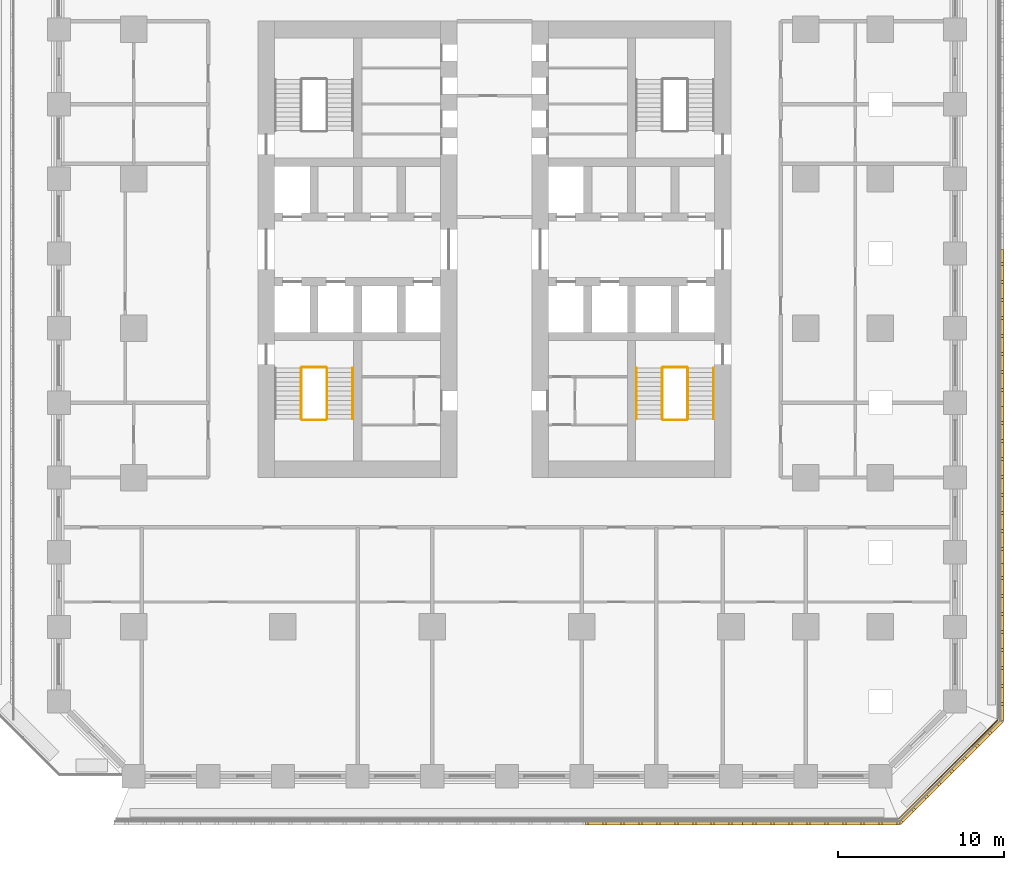
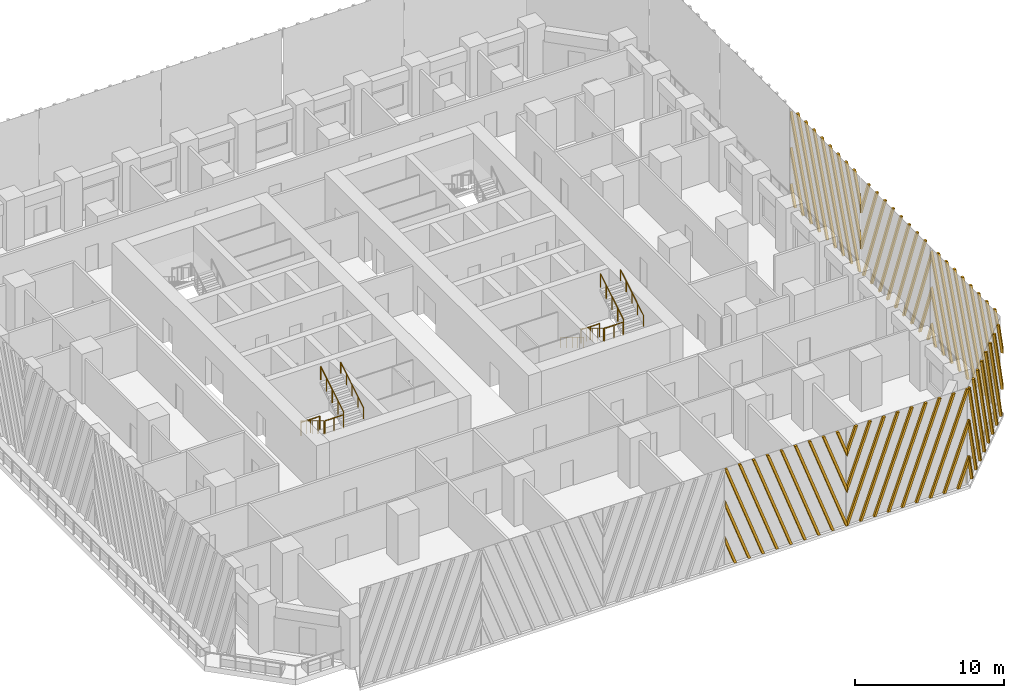
# One storey, part 11 of 15: 12 railings, 6 shading devices.
"""IFC4 building model written with IfcOpenShell, lengths in metres."""

from ifc_helpers import new_model, si_unit, direction, frame, origin, origin_2d, place, context, subcontext, project, spatial, polyline, circle, outline, extrude, source, transform, mapped, material, type_object, element, save


model = new_model("IFC4")

# Units and contexts
model_context = context("Model", 3, precision=1e-05, world=origin(), true_north=direction((0.0, 1.0)))
body_context = subcontext(model_context, "Body", "Model", "MODEL_VIEW")
ifc_project = project(units=[si_unit("LENGTHUNIT", "METRE"), si_unit("AREAUNIT", "SQUARE_METRE"), si_unit("VOLUMEUNIT", "CUBIC_METRE"), si_unit("PLANEANGLEUNIT", "RADIAN"), si_unit("MASSUNIT", "GRAM", prefix="KILO")], contexts=[model_context])

# Site, building, storey
site_placement = place(None, origin())
site = spatial("IfcSite", under=ifc_project, at=site_placement, CompositionType="ELEMENT")
building_placement = place(site_placement, origin())
building = spatial("IfcBuilding", under=site, at=building_placement, Name="Corbel Stack Research Tower", CompositionType="ELEMENT")
storey_placement = place(building_placement, frame((0.0, 0.0, 41.89990234375)))
storey = spatial("IfcBuildingStorey", under=building, at=storey_placement, Name="L09", CompositionType="ELEMENT", Elevation=41.89990234375)

# Railings
ifc_material_1 = material(Name="Steel S355", Category="steel")
railing_type_1 = type_object("IfcRailingType", Name="Stair guard 1100", PredefinedType="GUARDRAIL", material=ifc_material_1)
railing_1_placement = place(storey_placement, frame((-7.89990234375, -2.39990234375, 0.1708984375)))
element("IfcRailing", 1, at=railing_1_placement, inside=storey, type_object=railing_type_1, Name="L09 ST-W1 stair guard 1", PredefinedType="GUARDRAIL", context=body_context, shape_type="SweptSolid", body=[
    extrude(circle(Radius=0.02392578125, at=origin_2d()), frame((0.0, 0.0, 1.076171875), z_axis=(0.0, -0.853666305674, 0.52082035152), x_axis=(1.0, 0.0, 0.0)), (0.0, 0.0, 1.0), 3.608154296875),
    extrude(circle(Radius=0.02099609375, at=origin_2d()), origin(), (0.0, 0.0, 1.0), 1.052001953125),
    extrude(circle(Radius=0.02099609375, at=origin_2d()), frame((0.0, -0.77001953125, 0.4697265625)), (0.0, 0.0, 1.0), 1.052001953125),
    extrude(circle(Radius=0.02099609375, at=origin_2d()), frame((0.0, -1.5400390625, 0.939453125)), (0.0, 0.0, 1.0), 1.052001953125),
    extrude(circle(Radius=0.02099609375, at=origin_2d()), frame((0.0, -2.31005859375, 1.409423828125)), (0.0, 0.0, 1.0), 1.052001953125),
    extrude(circle(Radius=0.02099609375, at=origin_2d()), frame((0.0, -3.080078125, 1.879150390625)), (0.0, 0.0, 1.0), 1.052001953125),
])
railing_2_placement = place(storey_placement, frame((-7.85009765625, -5.530029296875, 2.050048828125)))
element("IfcRailing", 2, at=railing_2_placement, inside=storey, type_object=railing_type_1, Name="L09 ST-W1 stair guard 2", PredefinedType="GUARDRAIL", context=body_context, shape_type="SweptSolid", body=[
    extrude(circle(Radius=0.02392578125, at=origin_2d()), frame((0.0, 0.0, 1.076171875), z_axis=(1.0, 0.0, 0.0), x_axis=(0.0, 1.0, 0.0)), (0.0, 0.0, 1.0), 1.4501953125),
    extrude(circle(Radius=0.02099609375, at=origin_2d()), origin(), (0.0, 0.0, 1.0), 1.052001953125),
    extrude(circle(Radius=0.02099609375, at=origin_2d()), frame((0.72509765625, 0.0, 0.0)), (0.0, 0.0, 1.0), 1.052001953125),
    extrude(circle(Radius=0.02099609375, at=origin_2d()), frame((1.4501953125, 0.0, 0.0)), (0.0, 0.0, 1.0), 1.052001953125),
])
railing_3_placement = place(storey_placement, frame((-6.35009765625, -5.47998046875, 2.220947265625)))
element("IfcRailing", 3, at=railing_3_placement, inside=storey, type_object=railing_type_1, Name="L09 ST-W1 stair guard 3", PredefinedType="GUARDRAIL", context=body_context, shape_type="SweptSolid", body=[
    extrude(circle(Radius=0.02392578125, at=origin_2d()), frame((0.0, 0.0, 1.076171875), z_axis=(0.0, 0.853666305674, 0.52082035152), x_axis=(-1.0, 0.0, 0.0)), (0.0, 0.0, 1.0), 3.608154296875),
    extrude(circle(Radius=0.02099609375, at=origin_2d()), origin(), (0.0, 0.0, 1.0), 1.052001953125),
    extrude(circle(Radius=0.02099609375, at=origin_2d()), frame((0.0, 0.77001953125, 0.4697265625)), (0.0, 0.0, 1.0), 1.052001953125),
    extrude(circle(Radius=0.02099609375, at=origin_2d()), frame((0.0, 1.5400390625, 0.939453125)), (0.0, 0.0, 1.0), 1.052001953125),
    extrude(circle(Radius=0.02099609375, at=origin_2d()), frame((0.0, 2.31005859375, 1.409423828125)), (0.0, 0.0, 1.0), 1.052001953125),
    extrude(circle(Radius=0.02099609375, at=origin_2d()), frame((0.0, 3.080078125, 1.879150390625)), (0.0, 0.0, 1.0), 1.052001953125),
])
railing_4_placement = place(storey_placement, frame((-7.85009765625, -2.35009765625, 0.0)))
element("IfcRailing", 4, at=railing_4_placement, inside=storey, type_object=railing_type_1, Name="L09 ST-W1 stair guard 4", PredefinedType="GUARDRAIL", context=body_context, shape_type="SweptSolid", body=[
    extrude(circle(Radius=0.02392578125, at=origin_2d()), frame((0.0, 0.0, 1.076171875), z_axis=(1.0, 0.0, 0.0), x_axis=(0.0, 1.0, 0.0)), (0.0, 0.0, 1.0), 1.4501953125),
    extrude(circle(Radius=0.02099609375, at=origin_2d()), origin(), (0.0, 0.0, 1.0), 1.052001953125),
    extrude(circle(Radius=0.02099609375, at=origin_2d()), frame((0.72509765625, 0.0, 0.0)), (0.0, 0.0, 1.0), 1.052001953125),
    extrude(circle(Radius=0.02099609375, at=origin_2d()), frame((1.4501953125, 0.0, 0.0)), (0.0, 0.0, 1.0), 1.052001953125),
])
railing_5_placement = place(storey_placement, frame((13.85009765625, -2.39990234375, 0.1708984375)))
element("IfcRailing", 5, at=railing_5_placement, inside=storey, type_object=railing_type_1, Name="L09 ST-E1 stair guard 1", PredefinedType="GUARDRAIL", context=body_context, shape_type="SweptSolid", body=[
    extrude(circle(Radius=0.02392578125, at=origin_2d()), frame((0.0, 0.0, 1.076171875), z_axis=(0.0, -0.853666305674, 0.52082035152), x_axis=(1.0, 0.0, 0.0)), (0.0, 0.0, 1.0), 3.608154296875),
    extrude(circle(Radius=0.02099609375, at=origin_2d()), origin(), (0.0, 0.0, 1.0), 1.052001953125),
    extrude(circle(Radius=0.02099609375, at=origin_2d()), frame((0.0, -0.77001953125, 0.4697265625)), (0.0, 0.0, 1.0), 1.052001953125),
    extrude(circle(Radius=0.02099609375, at=origin_2d()), frame((0.0, -1.5400390625, 0.939453125)), (0.0, 0.0, 1.0), 1.052001953125),
    extrude(circle(Radius=0.02099609375, at=origin_2d()), frame((0.0, -2.31005859375, 1.409423828125)), (0.0, 0.0, 1.0), 1.052001953125),
    extrude(circle(Radius=0.02099609375, at=origin_2d()), frame((0.0, -3.080078125, 1.879150390625)), (0.0, 0.0, 1.0), 1.052001953125),
])
railing_6_placement = place(storey_placement, frame((13.89990234375, -5.530029296875, 2.050048828125)))
element("IfcRailing", 6, at=railing_6_placement, inside=storey, type_object=railing_type_1, Name="L09 ST-E1 stair guard 2", PredefinedType="GUARDRAIL", context=body_context, shape_type="SweptSolid", body=[
    extrude(circle(Radius=0.02392578125, at=origin_2d()), frame((0.0, 0.0, 1.076171875), z_axis=(1.0, 0.0, 0.0), x_axis=(0.0, 1.0, 0.0)), (0.0, 0.0, 1.0), 1.4501953125),
    extrude(circle(Radius=0.02099609375, at=origin_2d()), origin(), (0.0, 0.0, 1.0), 1.052001953125),
    extrude(circle(Radius=0.02099609375, at=origin_2d()), frame((0.72509765625, 0.0, 0.0)), (0.0, 0.0, 1.0), 1.052001953125),
    extrude(circle(Radius=0.02099609375, at=origin_2d()), frame((1.4501953125, 0.0, 0.0)), (0.0, 0.0, 1.0), 1.052001953125),
])
railing_7_placement = place(storey_placement, frame((15.39990234375, -5.47998046875, 2.220947265625)))
element("IfcRailing", 7, at=railing_7_placement, inside=storey, type_object=railing_type_1, Name="L09 ST-E1 stair guard 3", PredefinedType="GUARDRAIL", context=body_context, shape_type="SweptSolid", body=[
    extrude(circle(Radius=0.02392578125, at=origin_2d()), frame((0.0, 0.0, 1.076171875), z_axis=(0.0, 0.853666305674, 0.52082035152), x_axis=(-1.0, 0.0, 0.0)), (0.0, 0.0, 1.0), 3.608154296875),
    extrude(circle(Radius=0.02099609375, at=origin_2d()), origin(), (0.0, 0.0, 1.0), 1.052001953125),
    extrude(circle(Radius=0.02099609375, at=origin_2d()), frame((0.0, 0.77001953125, 0.4697265625)), (0.0, 0.0, 1.0), 1.052001953125),
    extrude(circle(Radius=0.02099609375, at=origin_2d()), frame((0.0, 1.5400390625, 0.939453125)), (0.0, 0.0, 1.0), 1.052001953125),
    extrude(circle(Radius=0.02099609375, at=origin_2d()), frame((0.0, 2.31005859375, 1.409423828125)), (0.0, 0.0, 1.0), 1.052001953125),
    extrude(circle(Radius=0.02099609375, at=origin_2d()), frame((0.0, 3.080078125, 1.879150390625)), (0.0, 0.0, 1.0), 1.052001953125),
])
railing_8_placement = place(storey_placement, frame((13.89990234375, -2.35009765625, 0.0)))
element("IfcRailing", 8, at=railing_8_placement, inside=storey, type_object=railing_type_1, Name="L09 ST-E1 stair guard 4", PredefinedType="GUARDRAIL", context=body_context, shape_type="SweptSolid", body=[
    extrude(circle(Radius=0.02392578125, at=origin_2d()), frame((0.0, 0.0, 1.076171875), z_axis=(1.0, 0.0, 0.0), x_axis=(0.0, 1.0, 0.0)), (0.0, 0.0, 1.0), 1.4501953125),
    extrude(circle(Radius=0.02099609375, at=origin_2d()), origin(), (0.0, 0.0, 1.0), 1.052001953125),
    extrude(circle(Radius=0.02099609375, at=origin_2d()), frame((0.72509765625, 0.0, 0.0)), (0.0, 0.0, 1.0), 1.052001953125),
    extrude(circle(Radius=0.02099609375, at=origin_2d()), frame((1.4501953125, 0.0, 0.0)), (0.0, 0.0, 1.0), 1.052001953125),
])
ifc_material_2 = material(Name="Steel S355", Category="steel")
railing_type_2 = type_object("IfcRailingType", Name="Stair handrail 900", PredefinedType="HANDRAIL", material=ifc_material_2)
railing_9_placement = place(storey_placement, frame((-4.800048828125, -5.47998046875, 2.220947265625)))
element("IfcRailing", 9, at=railing_9_placement, inside=storey, type_object=railing_type_2, Name="L09 ST-W1 stair handrail 2", PredefinedType="HANDRAIL", context=body_context, shape_type="SweptSolid", body=[
    extrude(circle(Radius=0.02392578125, at=origin_2d()), frame((0.0, 0.0, 0.8759765625), z_axis=(0.0, 0.853666305674, 0.52082035152), x_axis=(-1.0, 0.0, 0.0)), (0.0, 0.0, 1.0), 3.608154296875),
    extrude(circle(Radius=0.02099609375, at=origin_2d()), origin(), (0.0, 0.0, 1.0), 0.851806640625),
    extrude(circle(Radius=0.02099609375, at=origin_2d()), frame((0.0, 0.77001953125, 0.4697265625)), (0.0, 0.0, 1.0), 0.851806640625),
    extrude(circle(Radius=0.02099609375, at=origin_2d()), frame((0.0, 1.5400390625, 0.939453125)), (0.0, 0.0, 1.0), 0.851806640625),
    extrude(circle(Radius=0.02099609375, at=origin_2d()), frame((0.0, 2.31005859375, 1.409423828125)), (0.0, 0.0, 1.0), 0.851806640625),
    extrude(circle(Radius=0.02099609375, at=origin_2d()), frame((0.0, 3.080078125, 1.879150390625)), (0.0, 0.0, 1.0), 0.851806640625),
])
railing_10_placement = place(storey_placement, frame((12.300048828125, -2.39990234375, 0.1708984375)))
element("IfcRailing", 10, at=railing_10_placement, inside=storey, type_object=railing_type_2, Name="L09 ST-E1 stair handrail 1", PredefinedType="HANDRAIL", context=body_context, shape_type="SweptSolid", body=[
    extrude(circle(Radius=0.02392578125, at=origin_2d()), frame((0.0, 0.0, 0.8759765625), z_axis=(0.0, -0.853666305674, 0.52082035152), x_axis=(1.0, 0.0, 0.0)), (0.0, 0.0, 1.0), 3.608154296875),
    extrude(circle(Radius=0.02099609375, at=origin_2d()), origin(), (0.0, 0.0, 1.0), 0.851806640625),
    extrude(circle(Radius=0.02099609375, at=origin_2d()), frame((0.0, -0.77001953125, 0.4697265625)), (0.0, 0.0, 1.0), 0.851806640625),
    extrude(circle(Radius=0.02099609375, at=origin_2d()), frame((0.0, -1.5400390625, 0.939453125)), (0.0, 0.0, 1.0), 0.851806640625),
    extrude(circle(Radius=0.02099609375, at=origin_2d()), frame((0.0, -2.31005859375, 1.409423828125)), (0.0, 0.0, 1.0), 0.851806640625),
    extrude(circle(Radius=0.02099609375, at=origin_2d()), frame((0.0, -3.080078125, 1.879150390625)), (0.0, 0.0, 1.0), 0.851806640625),
])
railing_11_placement = place(storey_placement, frame((16.949951171875, -5.47998046875, 2.220947265625)))
element("IfcRailing", 11, at=railing_11_placement, inside=storey, type_object=railing_type_2, Name="L09 ST-E1 stair handrail 2", PredefinedType="HANDRAIL", context=body_context, shape_type="SweptSolid", body=[
    extrude(circle(Radius=0.02392578125, at=origin_2d()), frame((0.0, 0.0, 0.8759765625), z_axis=(0.0, 0.853666305674, 0.52082035152), x_axis=(-1.0, 0.0, 0.0)), (0.0, 0.0, 1.0), 3.608154296875),
    extrude(circle(Radius=0.02099609375, at=origin_2d()), origin(), (0.0, 0.0, 1.0), 0.851806640625),
    extrude(circle(Radius=0.02099609375, at=origin_2d()), frame((0.0, 0.77001953125, 0.4697265625)), (0.0, 0.0, 1.0), 0.851806640625),
    extrude(circle(Radius=0.02099609375, at=origin_2d()), frame((0.0, 1.5400390625, 0.939453125)), (0.0, 0.0, 1.0), 0.851806640625),
    extrude(circle(Radius=0.02099609375, at=origin_2d()), frame((0.0, 2.31005859375, 1.409423828125)), (0.0, 0.0, 1.0), 0.851806640625),
    extrude(circle(Radius=0.02099609375, at=origin_2d()), frame((0.0, 3.080078125, 1.879150390625)), (0.0, 0.0, 1.0), 0.851806640625),
])
ifc_material_3 = material(Name="Powder-coated steel guard", Category="steel")
railing_type_3 = type_object("IfcRailingType", Name="Steel and glass guard 1100", PredefinedType="GUARDRAIL", material=ifc_material_3)
railing_12_placement = place(storey_placement, frame((28.127685546875, -29.54931640625, 0.0)))
element("IfcRailing", 12, at=railing_12_placement, inside=storey, type_object=railing_type_3, Name="Loggia guard L09 SE", PredefinedType="GUARDRAIL", context=body_context, shape_type="SweptSolid", body=[
    extrude(circle(Radius=0.02392578125, at=origin_2d()), frame((0.0, 0.0, 1.076171875), z_axis=(0.707106781187, 0.707106781187, 0.0), x_axis=(-0.707106781187, 0.707106781187, 0.0)), (0.0, 0.0, 1.0), 8.37451171875),
    extrude(circle(Radius=0.02099609375, at=origin_2d()), origin(), (0.0, 0.0, 1.0), 1.052001953125),
    extrude(circle(Radius=0.02099609375, at=origin_2d()), frame((0.845947265625, 0.845947265625, 0.0)), (0.0, 0.0, 1.0), 1.052001953125),
    extrude(circle(Radius=0.02099609375, at=origin_2d()), frame((1.69189453125, 1.69189453125, 0.0)), (0.0, 0.0, 1.0), 1.052001953125),
    extrude(circle(Radius=0.02099609375, at=origin_2d()), frame((2.537841796875, 2.537841796875, 0.0)), (0.0, 0.0, 1.0), 1.052001953125),
    extrude(circle(Radius=0.02099609375, at=origin_2d()), frame((3.3837890625, 3.3837890625, 0.0)), (0.0, 0.0, 1.0), 1.052001953125),
    extrude(circle(Radius=0.02099609375, at=origin_2d()), frame((4.229736328125, 4.229736328125, 0.0)), (0.0, 0.0, 1.0), 1.052001953125),
    extrude(circle(Radius=0.02099609375, at=origin_2d()), frame((5.07568359375, 5.07568359375, 0.0)), (0.0, 0.0, 1.0), 1.052001953125),
    extrude(circle(Radius=0.02099609375, at=origin_2d()), frame((5.921630859375, 5.921630859375, 0.0)), (0.0, 0.0, 1.0), 1.052001953125),
])

# Shading devices
ifc_material_4 = material(Name="Precast terracotta", Category="masonry")
shading_device_type = type_object("IfcShadingDeviceType", Name="Terracotta screen panel", PredefinedType="USERDEFINED", material=ifc_material_4)
shared_shape_1 = source(origin(), body_context, "Body", "SweptSolid", [
    extrude(outline(polyline([(0.819091796875, 7.949951171875), (0.629150390625, 7.949951171875), (0.0, 6.22119140625), (0.0, 5.69921875), (0.819091796875, 7.949951171875)])), frame((0.0, 0.0, 0.0), z_axis=(0.0, -1.0, 0.0), x_axis=(1.0, 0.0, 0.0)), (0.0, 0.0, 1.0), 0.179931640625),
    extrude(outline(polyline([(1.90380859375, 7.949951171875), (1.7138671875, 7.949951171875), (0.0, 3.2412109375), (0.0, 2.718994140625), (1.90380859375, 7.949951171875)])), frame((0.0, 0.0, 0.0), z_axis=(0.0, -1.0, 0.0), x_axis=(1.0, 0.0, 0.0)), (0.0, 0.0, 1.0), 0.179931640625),
    extrude(outline(polyline([(0.094970703125, 0.0), (2.988525390625, 7.949951171875), (2.798583984375, 7.949951171875), (0.0, 0.260986328125), (0.0, 0.0), (0.094970703125, 0.0)])), frame((0.0, 0.0, 0.0), z_axis=(0.0, -1.0, 0.0), x_axis=(1.0, 0.0, 0.0)), (0.0, 0.0, 1.0), 0.179931640625),
    extrude(outline(polyline([(1.1796875, 0.0), (4.0732421875, 7.949951171875), (3.88330078125, 7.949951171875), (0.98974609375, 0.0), (1.1796875, 0.0)])), frame((0.0, 0.0, 0.0), z_axis=(0.0, -1.0, 0.0), x_axis=(1.0, 0.0, 0.0)), (0.0, 0.0, 1.0), 0.179931640625),
    extrude(outline(polyline([(2.264404296875, 0.0), (5.157958984375, 7.949951171875), (4.968017578125, 7.949951171875), (2.07421875, 0.0), (2.264404296875, 0.0)])), frame((0.0, 0.0, 0.0), z_axis=(0.0, -1.0, 0.0), x_axis=(1.0, 0.0, 0.0)), (0.0, 0.0, 1.0), 0.179931640625),
    extrude(outline(polyline([(3.34912109375, 0.0), (6.24267578125, 7.949951171875), (6.052490234375, 7.949951171875), (3.158935546875, 0.0), (3.34912109375, 0.0)])), frame((0.0, 0.0, 0.0), z_axis=(0.0, -1.0, 0.0), x_axis=(1.0, 0.0, 0.0)), (0.0, 0.0, 1.0), 0.179931640625),
    extrude(outline(polyline([(4.43359375, 0.0), (7.3271484375, 7.949951171875), (7.13720703125, 7.949951171875), (4.24365234375, 0.0), (4.43359375, 0.0)])), frame((0.0, 0.0, 0.0), z_axis=(0.0, -1.0, 0.0), x_axis=(1.0, 0.0, 0.0)), (0.0, 0.0, 1.0), 0.179931640625),
    extrude(outline(polyline([(5.518310546875, 0.0), (8.411865234375, 7.949951171875), (8.221923828125, 7.949951171875), (5.328369140625, 0.0), (5.518310546875, 0.0)])), frame((0.0, 0.0, 0.0), z_axis=(0.0, -1.0, 0.0), x_axis=(1.0, 0.0, 0.0)), (0.0, 0.0, 1.0), 0.179931640625),
    extrude(outline(polyline([(6.60302734375, 0.0), (9.45556640625, 7.837646484375), (9.45556640625, 7.949951171875), (9.306640625, 7.949951171875), (6.4130859375, 0.0), (6.60302734375, 0.0)])), frame((0.0, 0.0, 0.0), z_axis=(0.0, -1.0, 0.0), x_axis=(1.0, 0.0, 0.0)), (0.0, 0.0, 1.0), 0.179931640625),
    extrude(outline(polyline([(7.687744140625, 0.0), (9.45556640625, 4.857421875), (9.45556640625, 5.37939453125), (7.497802734375, 0.0), (7.687744140625, 0.0)])), frame((0.0, 0.0, 0.0), z_axis=(0.0, -1.0, 0.0), x_axis=(1.0, 0.0, 0.0)), (0.0, 0.0, 1.0), 0.179931640625),
    extrude(outline(polyline([(8.772216796875, 0.0), (9.45556640625, 1.87744140625), (9.45556640625, 2.3994140625), (8.582275390625, 0.0), (8.772216796875, 0.0)])), frame((0.0, 0.0, 0.0), z_axis=(0.0, -1.0, 0.0), x_axis=(1.0, 0.0, 0.0)), (0.0, 0.0, 1.0), 0.179931640625),
])
shading_device_1_placement = place(storey_placement, frame((18.68359375, -29.75, 0.0), z_axis=(0.0, 0.0, 1.0), x_axis=(1.0, 0.0, 0.0)))
element("IfcShadingDevice", 13, at=shading_device_1_placement, inside=storey, type_object=shading_device_type, Name="Terracotta screen L09 S5", ObjectType="SCREEN", PredefinedType="USERDEFINED", context=body_context, shape_type="MappedRepresentation", body=[
    mapped(shared_shape_1, transform((0.0, 0.0, 0.0))),
])
shared_shape_2 = source(origin(), body_context, "Body", "SweptSolid", [
    extrude(outline(polyline([(0.873291015625, 0.0), (0.0, 2.3994140625), (0.0, 1.87744140625), (0.683349609375, 0.0), (0.873291015625, 0.0)])), frame((0.0, 0.0, 0.0), z_axis=(0.0, -1.0, 0.0), x_axis=(1.0, 0.0, 0.0)), (0.0, 0.0, 1.0), 0.179931640625),
    extrude(outline(polyline([(1.9580078125, 0.0), (0.0, 5.37939453125), (0.0, 4.857421875), (1.76806640625, 0.0), (1.9580078125, 0.0)])), frame((0.0, 0.0, 0.0), z_axis=(0.0, -1.0, 0.0), x_axis=(1.0, 0.0, 0.0)), (0.0, 0.0, 1.0), 0.179931640625),
    extrude(outline(polyline([(3.04248046875, 0.0), (0.149169921875, 7.949951171875), (0.0, 7.949951171875), (0.0, 7.837646484375), (2.8525390625, 0.0), (3.04248046875, 0.0)])), frame((0.0, 0.0, 0.0), z_axis=(0.0, -1.0, 0.0), x_axis=(1.0, 0.0, 0.0)), (0.0, 0.0, 1.0), 0.179931640625),
    extrude(outline(polyline([(4.127197265625, 0.0), (1.233642578125, 7.949951171875), (1.043701171875, 7.949951171875), (3.937255859375, 0.0), (4.127197265625, 0.0)])), frame((0.0, 0.0, 0.0), z_axis=(0.0, -1.0, 0.0), x_axis=(1.0, 0.0, 0.0)), (0.0, 0.0, 1.0), 0.179931640625),
    extrude(outline(polyline([(5.2119140625, 0.0), (2.318359375, 7.949951171875), (2.12841796875, 7.949951171875), (5.02197265625, 0.0), (5.2119140625, 0.0)])), frame((0.0, 0.0, 0.0), z_axis=(0.0, -1.0, 0.0), x_axis=(1.0, 0.0, 0.0)), (0.0, 0.0, 1.0), 0.179931640625),
    extrude(outline(polyline([(6.296630859375, 0.0), (3.403076171875, 7.949951171875), (3.213134765625, 7.949951171875), (6.106689453125, 0.0), (6.296630859375, 0.0)])), frame((0.0, 0.0, 0.0), z_axis=(0.0, -1.0, 0.0), x_axis=(1.0, 0.0, 0.0)), (0.0, 0.0, 1.0), 0.179931640625),
    extrude(outline(polyline([(7.38134765625, 0.0), (4.48779296875, 7.949951171875), (4.297607421875, 7.949951171875), (7.19140625, 0.0), (7.38134765625, 0.0)])), frame((0.0, 0.0, 0.0), z_axis=(0.0, -1.0, 0.0), x_axis=(1.0, 0.0, 0.0)), (0.0, 0.0, 1.0), 0.179931640625),
    extrude(outline(polyline([(8.466064453125, 0.0), (5.572509765625, 7.949951171875), (5.38232421875, 7.949951171875), (8.27587890625, 0.0), (8.466064453125, 0.0)])), frame((0.0, 0.0, 0.0), z_axis=(0.0, -1.0, 0.0), x_axis=(1.0, 0.0, 0.0)), (0.0, 0.0, 1.0), 0.179931640625),
    extrude(outline(polyline([(9.45556640625, 0.0), (9.45556640625, 0.260986328125), (6.656982421875, 7.949951171875), (6.467041015625, 7.949951171875), (9.360595703125, 0.0), (9.45556640625, 0.0)])), frame((0.0, 0.0, 0.0), z_axis=(0.0, -1.0, 0.0), x_axis=(1.0, 0.0, 0.0)), (0.0, 0.0, 1.0), 0.179931640625),
    extrude(outline(polyline([(7.74169921875, 7.949951171875), (7.5517578125, 7.949951171875), (9.45556640625, 2.718994140625), (9.45556640625, 3.2412109375), (7.74169921875, 7.949951171875)])), frame((0.0, 0.0, 0.0), z_axis=(0.0, -1.0, 0.0), x_axis=(1.0, 0.0, 0.0)), (0.0, 0.0, 1.0), 0.179931640625),
    extrude(outline(polyline([(8.826416015625, 7.949951171875), (8.636474609375, 7.949951171875), (9.45556640625, 5.69921875), (9.45556640625, 6.22119140625), (8.826416015625, 7.949951171875)])), frame((0.0, 0.0, 0.0), z_axis=(0.0, -1.0, 0.0), x_axis=(1.0, 0.0, 0.0)), (0.0, 0.0, 1.0), 0.179931640625),
])
shading_device_2_placement = place(storey_placement, frame((9.227783203125, -29.75, 0.0), z_axis=(0.0, 0.0, 1.0), x_axis=(1.0, 0.0, 0.0)))
element("IfcShadingDevice", 14, at=shading_device_2_placement, inside=storey, type_object=shading_device_type, Name="Terracotta screen L09 S4", ObjectType="SCREEN", PredefinedType="USERDEFINED", context=body_context, shape_type="MappedRepresentation", body=[
    mapped(shared_shape_2, transform((0.0, 0.0, 0.0))),
])
shared_shape_3 = source(origin(), body_context, "Body", "SweptSolid", [
    extrude(outline(polyline([(1.09033203125, 7.949951171875), (0.900390625, 7.949951171875), (0.0, 5.476318359375), (0.0, 4.9541015625), (1.09033203125, 7.949951171875)])), frame((0.0, 0.0, 0.0), z_axis=(0.0, -1.0, 0.0), x_axis=(1.0, 0.0, 0.0)), (0.0, 0.0, 1.0), 0.179931640625),
    extrude(outline(polyline([(2.175048828125, 7.949951171875), (1.985107421875, 7.949951171875), (0.0, 2.49609375), (0.0, 1.97412109375), (2.175048828125, 7.949951171875)])), frame((0.0, 0.0, 0.0), z_axis=(0.0, -1.0, 0.0), x_axis=(1.0, 0.0, 0.0)), (0.0, 0.0, 1.0), 0.179931640625),
    extrude(outline(polyline([(0.3662109375, 0.0), (3.259765625, 7.949951171875), (3.069580078125, 7.949951171875), (0.17626953125, 0.0), (0.3662109375, 0.0)])), frame((0.0, 0.0, 0.0), z_axis=(0.0, -1.0, 0.0), x_axis=(1.0, 0.0, 0.0)), (0.0, 0.0, 1.0), 0.179931640625),
    extrude(outline(polyline([(1.45068359375, 0.0), (4.344482421875, 7.949951171875), (4.154296875, 7.949951171875), (1.2607421875, 0.0), (1.45068359375, 0.0)])), frame((0.0, 0.0, 0.0), z_axis=(0.0, -1.0, 0.0), x_axis=(1.0, 0.0, 0.0)), (0.0, 0.0, 1.0), 0.179931640625),
    extrude(outline(polyline([(2.535400390625, 0.0), (5.42919921875, 7.949951171875), (5.239013671875, 7.949951171875), (2.345458984375, 0.0), (2.535400390625, 0.0)])), frame((0.0, 0.0, 0.0), z_axis=(0.0, -1.0, 0.0), x_axis=(1.0, 0.0, 0.0)), (0.0, 0.0, 1.0), 0.179931640625),
    extrude(outline(polyline([(3.6201171875, 0.0), (6.513671875, 7.949951171875), (6.32373046875, 7.949951171875), (3.43017578125, 0.0), (3.6201171875, 0.0)])), frame((0.0, 0.0, 0.0), z_axis=(0.0, -1.0, 0.0), x_axis=(1.0, 0.0, 0.0)), (0.0, 0.0, 1.0), 0.179931640625),
    extrude(outline(polyline([(4.704833984375, 0.0), (7.598388671875, 7.949951171875), (7.408447265625, 7.949951171875), (4.514892578125, 0.0), (4.704833984375, 0.0)])), frame((0.0, 0.0, 0.0), z_axis=(0.0, -1.0, 0.0), x_axis=(1.0, 0.0, 0.0)), (0.0, 0.0, 1.0), 0.179931640625),
    extrude(outline(polyline([(5.78955078125, 0.0), (8.68310546875, 7.949951171875), (8.4931640625, 7.949951171875), (5.599609375, 0.0), (5.78955078125, 0.0)])), frame((0.0, 0.0, 0.0), z_axis=(0.0, -1.0, 0.0), x_axis=(1.0, 0.0, 0.0)), (0.0, 0.0, 1.0), 0.179931640625),
    extrude(outline(polyline([(6.874267578125, 0.0), (9.45556640625, 7.092529296875), (9.45556640625, 7.614501953125), (6.68408203125, 0.0), (6.874267578125, 0.0)])), frame((0.0, 0.0, 0.0), z_axis=(0.0, -1.0, 0.0), x_axis=(1.0, 0.0, 0.0)), (0.0, 0.0, 1.0), 0.179931640625),
    extrude(outline(polyline([(7.958740234375, 0.0), (9.45556640625, 4.1123046875), (9.45556640625, 4.634521484375), (7.768798828125, 0.0), (7.958740234375, 0.0)])), frame((0.0, 0.0, 0.0), z_axis=(0.0, -1.0, 0.0), x_axis=(1.0, 0.0, 0.0)), (0.0, 0.0, 1.0), 0.179931640625),
    extrude(outline(polyline([(9.04345703125, 0.0), (9.45556640625, 1.13232421875), (9.45556640625, 1.654296875), (8.853515625, 0.0), (9.04345703125, 0.0)])), frame((0.0, 0.0, 0.0), z_axis=(0.0, -1.0, 0.0), x_axis=(1.0, 0.0, 0.0)), (0.0, 0.0, 1.0), 0.179931640625),
])
for number, where, z_axis, x_axis, name in (
    (15, (34.25, -23.63916015625, 0.0), (0.0, 0.0, 1.0), (0.0, 1.0, 0.0), "Terracotta screen L09 E1"),
    (16, (34.25, -4.727783203125, 0.0), (0.0, 0.0, 1.0), (0.0, 1.0, 0.0), "Terracotta screen L09 E3"),
):
    element("IfcShadingDevice", number, at=place(storey_placement, frame(where, z_axis=z_axis, x_axis=x_axis)), inside=storey, type_object=shading_device_type, Name=name, ObjectType="SCREEN", PredefinedType="USERDEFINED", context=body_context, shape_type="MappedRepresentation", body=[
        mapped(shared_shape_3, transform((0.0, 0.0, 0.0))),
    ])
shared_shape_4 = source(origin(), body_context, "Body", "SweptSolid", [
    extrude(outline(polyline([(0.60205078125, 0.0), (0.0, 1.654296875), (0.0, 1.13232421875), (0.412109375, 0.0), (0.60205078125, 0.0)])), frame((0.0, 0.0, 0.0), z_axis=(0.0, -1.0, 0.0), x_axis=(1.0, 0.0, 0.0)), (0.0, 0.0, 1.0), 0.179931640625),
    extrude(outline(polyline([(1.686767578125, 0.0), (0.0, 4.634521484375), (0.0, 4.1123046875), (1.496826171875, 0.0), (1.686767578125, 0.0)])), frame((0.0, 0.0, 0.0), z_axis=(0.0, -1.0, 0.0), x_axis=(1.0, 0.0, 0.0)), (0.0, 0.0, 1.0), 0.179931640625),
    extrude(outline(polyline([(2.771484375, 0.0), (0.0, 7.614501953125), (0.0, 7.092529296875), (2.58154296875, 0.0), (2.771484375, 0.0)])), frame((0.0, 0.0, 0.0), z_axis=(0.0, -1.0, 0.0), x_axis=(1.0, 0.0, 0.0)), (0.0, 0.0, 1.0), 0.179931640625),
    extrude(outline(polyline([(3.856201171875, 0.0), (0.962646484375, 7.949951171875), (0.772705078125, 7.949951171875), (3.666015625, 0.0), (3.856201171875, 0.0)])), frame((0.0, 0.0, 0.0), z_axis=(0.0, -1.0, 0.0), x_axis=(1.0, 0.0, 0.0)), (0.0, 0.0, 1.0), 0.179931640625),
    extrude(outline(polyline([(4.94091796875, 0.0), (2.047119140625, 7.949951171875), (1.857177734375, 7.949951171875), (4.750732421875, 0.0), (4.94091796875, 0.0)])), frame((0.0, 0.0, 0.0), z_axis=(0.0, -1.0, 0.0), x_axis=(1.0, 0.0, 0.0)), (0.0, 0.0, 1.0), 0.179931640625),
    extrude(outline(polyline([(6.025390625, 0.0), (3.1318359375, 7.949951171875), (2.94189453125, 7.949951171875), (5.83544921875, 0.0), (6.025390625, 0.0)])), frame((0.0, 0.0, 0.0), z_axis=(0.0, -1.0, 0.0), x_axis=(1.0, 0.0, 0.0)), (0.0, 0.0, 1.0), 0.179931640625),
    extrude(outline(polyline([(7.110107421875, 0.0), (4.216552734375, 7.949951171875), (4.026611328125, 7.949951171875), (6.920166015625, 0.0), (7.110107421875, 0.0)])), frame((0.0, 0.0, 0.0), z_axis=(0.0, -1.0, 0.0), x_axis=(1.0, 0.0, 0.0)), (0.0, 0.0, 1.0), 0.179931640625),
    extrude(outline(polyline([(8.19482421875, 0.0), (5.30126953125, 7.949951171875), (5.111083984375, 7.949951171875), (8.0048828125, 0.0), (8.19482421875, 0.0)])), frame((0.0, 0.0, 0.0), z_axis=(0.0, -1.0, 0.0), x_axis=(1.0, 0.0, 0.0)), (0.0, 0.0, 1.0), 0.179931640625),
    extrude(outline(polyline([(9.279541015625, 0.0), (6.385986328125, 7.949951171875), (6.19580078125, 7.949951171875), (9.089599609375, 0.0), (9.279541015625, 0.0)])), frame((0.0, 0.0, 0.0), z_axis=(0.0, -1.0, 0.0), x_axis=(1.0, 0.0, 0.0)), (0.0, 0.0, 1.0), 0.179931640625),
    extrude(outline(polyline([(7.470703125, 7.949951171875), (7.280517578125, 7.949951171875), (9.45556640625, 1.97412109375), (9.45556640625, 2.49609375), (7.470703125, 7.949951171875)])), frame((0.0, 0.0, 0.0), z_axis=(0.0, -1.0, 0.0), x_axis=(1.0, 0.0, 0.0)), (0.0, 0.0, 1.0), 0.179931640625),
    extrude(outline(polyline([(8.55517578125, 7.949951171875), (8.365234375, 7.949951171875), (9.45556640625, 4.9541015625), (9.45556640625, 5.476318359375), (8.55517578125, 7.949951171875)])), frame((0.0, 0.0, 0.0), z_axis=(0.0, -1.0, 0.0), x_axis=(1.0, 0.0, 0.0)), (0.0, 0.0, 1.0), 0.179931640625),
])
shading_device_3_placement = place(storey_placement, frame((34.25, -14.18359375, 0.0), z_axis=(0.0, 0.0, 1.0), x_axis=(0.0, 1.0, 0.0)))
element("IfcShadingDevice", 17, at=shading_device_3_placement, inside=storey, type_object=shading_device_type, Name="Terracotta screen L09 E2", ObjectType="SCREEN", PredefinedType="USERDEFINED", context=body_context, shape_type="MappedRepresentation", body=[
    mapped(shared_shape_4, transform((0.0, 0.0, 0.0))),
])
shared_shape_5 = source(origin(), body_context, "Body", "SweptSolid", [
    extrude(outline(polyline([(0.873291015625, 0.0), (0.0, 2.3994140625), (0.0, 1.87744140625), (0.683349609375, 0.0), (0.873291015625, 0.0)])), frame((0.0, 0.0, 0.0), z_axis=(0.0, -1.0, 0.0), x_axis=(1.0, 0.0, 0.0)), (0.0, 0.0, 1.0), 0.179931640625),
    extrude(outline(polyline([(1.9580078125, 0.0), (0.0, 5.37939453125), (0.0, 4.857421875), (1.76806640625, 0.0), (1.9580078125, 0.0)])), frame((0.0, 0.0, 0.0), z_axis=(0.0, -1.0, 0.0), x_axis=(1.0, 0.0, 0.0)), (0.0, 0.0, 1.0), 0.179931640625),
    extrude(outline(polyline([(3.04248046875, 0.0), (0.149169921875, 7.949951171875), (0.0, 7.949951171875), (0.0, 7.837646484375), (2.8525390625, 0.0), (3.04248046875, 0.0)])), frame((0.0, 0.0, 0.0), z_axis=(0.0, -1.0, 0.0), x_axis=(1.0, 0.0, 0.0)), (0.0, 0.0, 1.0), 0.179931640625),
    extrude(outline(polyline([(4.127197265625, 0.0), (1.233642578125, 7.949951171875), (1.043701171875, 7.949951171875), (3.937255859375, 0.0), (4.127197265625, 0.0)])), frame((0.0, 0.0, 0.0), z_axis=(0.0, -1.0, 0.0), x_axis=(1.0, 0.0, 0.0)), (0.0, 0.0, 1.0), 0.179931640625),
    extrude(outline(polyline([(5.2119140625, 0.0), (2.318359375, 7.949951171875), (2.12841796875, 7.949951171875), (5.02197265625, 0.0), (5.2119140625, 0.0)])), frame((0.0, 0.0, 0.0), z_axis=(0.0, -1.0, 0.0), x_axis=(1.0, 0.0, 0.0)), (0.0, 0.0, 1.0), 0.179931640625),
    extrude(outline(polyline([(6.296630859375, 0.0), (3.403076171875, 7.949951171875), (3.213134765625, 7.949951171875), (6.106689453125, 0.0), (6.296630859375, 0.0)])), frame((0.0, 0.0, 0.0), z_axis=(0.0, -1.0, 0.0), x_axis=(1.0, 0.0, 0.0)), (0.0, 0.0, 1.0), 0.179931640625),
    extrude(outline(polyline([(7.38134765625, 0.0), (4.48779296875, 7.949951171875), (4.297607421875, 7.949951171875), (7.19140625, 0.0), (7.38134765625, 0.0)])), frame((0.0, 0.0, 0.0), z_axis=(0.0, -1.0, 0.0), x_axis=(1.0, 0.0, 0.0)), (0.0, 0.0, 1.0), 0.179931640625),
    extrude(outline(polyline([(8.466064453125, 0.0), (5.572509765625, 7.949951171875), (5.38232421875, 7.949951171875), (8.27587890625, 0.0), (8.466064453125, 0.0)])), frame((0.0, 0.0, 0.0), z_axis=(0.0, -1.0, 0.0), x_axis=(1.0, 0.0, 0.0)), (0.0, 0.0, 1.0), 0.179931640625),
    extrude(outline(polyline([(6.656982421875, 7.949951171875), (6.467041015625, 7.949951171875), (8.64208984375, 1.97412109375), (8.64208984375, 2.49609375), (6.656982421875, 7.949951171875)])), frame((0.0, 0.0, 0.0), z_axis=(0.0, -1.0, 0.0), x_axis=(1.0, 0.0, 0.0)), (0.0, 0.0, 1.0), 0.179931640625),
    extrude(outline(polyline([(7.74169921875, 7.949951171875), (7.5517578125, 7.949951171875), (8.64208984375, 4.9541015625), (8.64208984375, 5.476318359375), (7.74169921875, 7.949951171875)])), frame((0.0, 0.0, 0.0), z_axis=(0.0, -1.0, 0.0), x_axis=(1.0, 0.0, 0.0)), (0.0, 0.0, 1.0), 0.179931640625),
])
shading_device_4_placement = place(storey_placement, frame((28.13916015625, -29.75, 0.0), z_axis=(0.0, 0.0, 1.0), x_axis=(0.707106781187, 0.707106781187, 0.0)))
element("IfcShadingDevice", 18, at=shading_device_4_placement, inside=storey, type_object=shading_device_type, Name="Terracotta screen L09 SE1", ObjectType="SCREEN", PredefinedType="USERDEFINED", context=body_context, shape_type="MappedRepresentation", body=[
    mapped(shared_shape_5, transform((0.0, 0.0, 0.0))),
])

save(model, "model.ifc")
